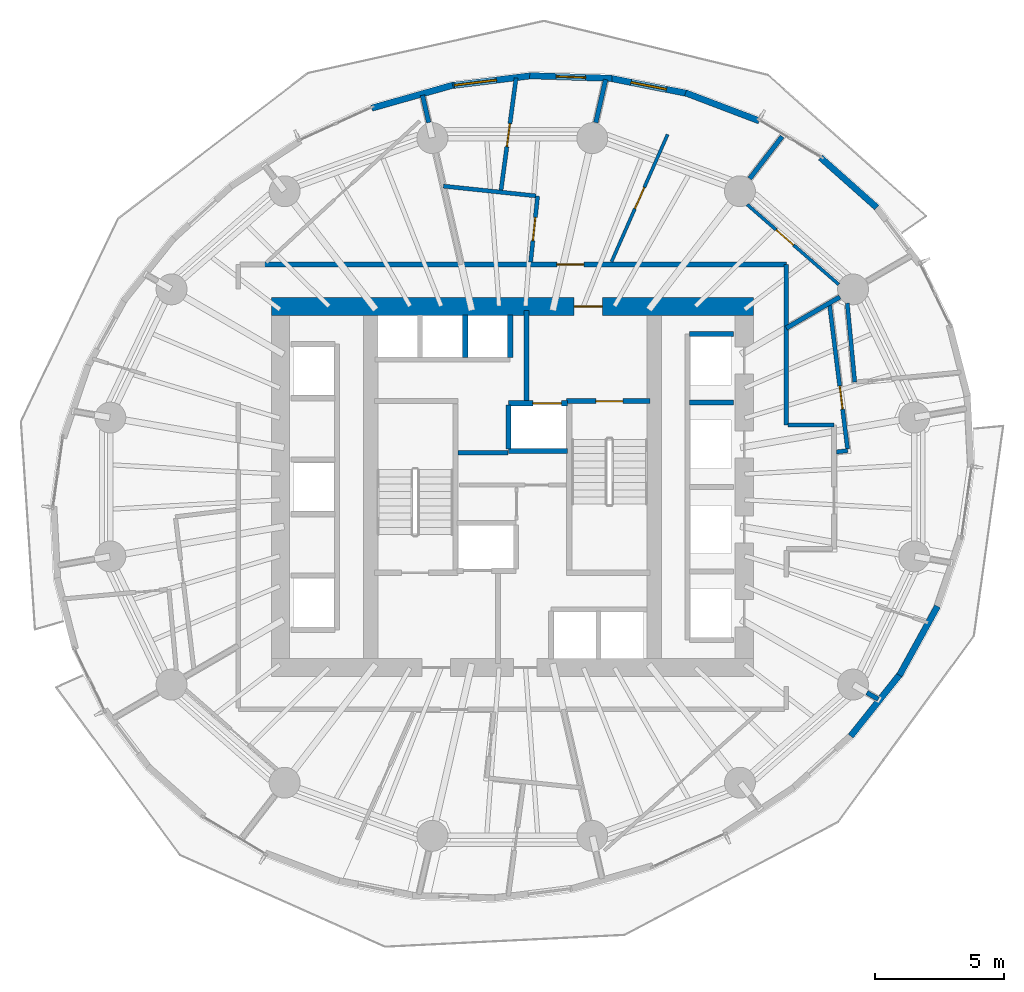
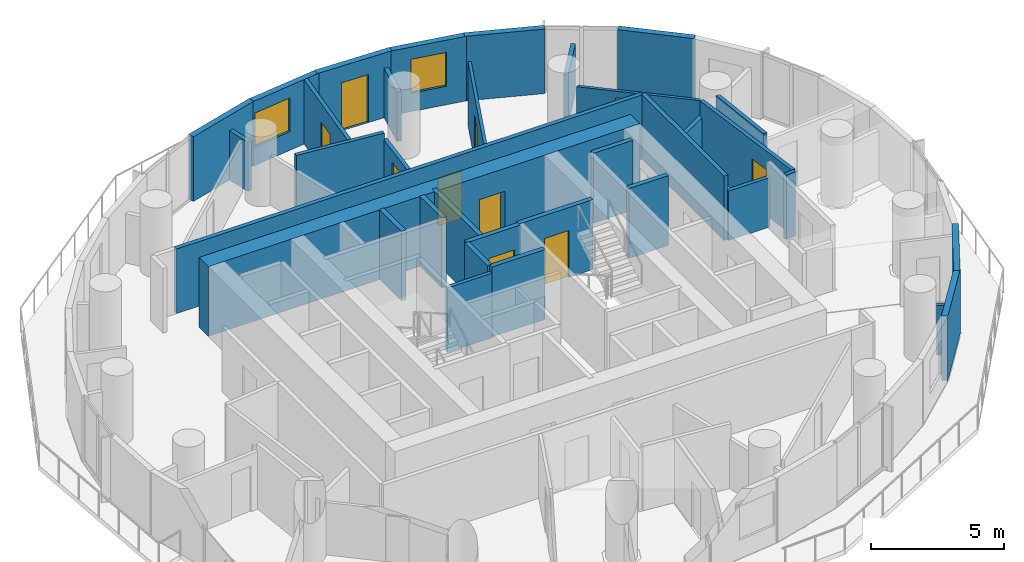
# One storey, part 9 of 14: 35 walls, 10 doors, 2 windows, 12 openings.
"""IFC4 building model written with IfcOpenShell, lengths in metres."""

from ifc_helpers import new_model, si_unit, direction, frame, frame_2d, origin, place, context, subcontext, project, spatial, rectangle, extrude, material, layer, layer_set, type_object, element, fill, save


model = new_model("IFC4")

# Units and contexts
model_context = context("Model", 3, precision=1e-05, world=origin(), true_north=direction((0.0, 1.0)))
body_context = subcontext(model_context, "Body", "Model", "MODEL_VIEW")
ifc_project = project(units=[si_unit("LENGTHUNIT", "METRE"), si_unit("AREAUNIT", "SQUARE_METRE"), si_unit("VOLUMEUNIT", "CUBIC_METRE"), si_unit("PLANEANGLEUNIT", "RADIAN"), si_unit("MASSUNIT", "GRAM", prefix="KILO")], contexts=[model_context])

# Site, building, storey
site_placement = place(None, origin())
site = spatial("IfcSite", under=ifc_project, at=site_placement, CompositionType="ELEMENT")
building_placement = place(site_placement, origin())
building = spatial("IfcBuilding", under=site, at=building_placement, Name="Veldorim Arch Residences", CompositionType="ELEMENT")
storey_placement = place(building_placement, frame((0.0, 0.0, 83.679931640625)))
storey = spatial("IfcBuildingStorey", under=building, at=storey_placement, Name="L24", CompositionType="ELEMENT", Elevation=83.679931640625)

# Wall, opening, door
ifc_material_1 = material(Name="Acoustic Gypsum Board", Category="gypsum")
ifc_layer_1 = layer(ifc_material_1, 0.125, Name="Acoustic Stud Room Partition Wall 125")
ifc_layer_set_1 = layer_set([ifc_layer_1], Name="Acoustic Gypsum Board")
wall_type_1 = type_object("IfcWallType", Name="Acoustic Stud Room Partition Wall 125", PredefinedType="PARTITIONING", material=ifc_layer_set_1)
wall_1_placement = place(storey_placement, frame((38.027099609375, 37.677978515625, 0.0), z_axis=(0.0, 0.0, 1.0), x_axis=(-0.403235845427, -0.91509608947, 0.0)))
wall_1 = element("IfcWall", 1, at=wall_1_placement, inside=storey, type_object=wall_type_1, Name="L24 interior wall WL-RES-L24-029", PredefinedType="PARTITIONING", context=body_context, shape_type="SweptSolid", body=[
    extrude(rectangle(XDim=5.396484375, YDim=0.125, at=frame_2d((2.6982421875, 0.0))), origin(), (0.0, 0.0, 1.0), 2.955078125),
])
opening_1_placement = place(wall_1_placement, frame((2.248046875, 0.0, 0.0)))
opening_1 = element("IfcOpeningElement", 2, at=opening_1_placement, cuts=wall_1, Name="Opening DR-INT", PredefinedType="OPENING", context=body_context, shape_type="SweptSolid", body=[
    extrude(rectangle(XDim=0.89990234375, YDim=2.10009765625, at=frame_2d((0.449951171875, 1.050048828125))), frame((0.0, 0.072509765625, 0.0), z_axis=(0.0, -1.0, 0.0), x_axis=(1.0, 0.0, 0.0)), (0.0, 0.0, 1.0), 0.14501953125),
])
ifc_material_2 = material(Name="Engineered Timber", Category="wood")
door_type_1 = type_object("IfcDoorType", Name="Apartment Internal Room Timber Door 900x2100", OperationType="SINGLE_SWING_LEFT", PredefinedType="DOOR", material=ifc_material_2)
door_1_placement = place(opening_1_placement, origin())
door_1 = element("IfcDoor", 3, at=door_1_placement, inside=storey, type_object=door_type_1, Name="L24 interior door DR-RES-L24-013", OperationType="SINGLE_SWING_LEFT", OverallHeight=2.10009765625, OverallWidth=0.89990234375, PredefinedType="DOOR", context=body_context, shape_type="SweptSolid", body=[
    extrude(rectangle(XDim=0.89990234375, YDim=2.10009765625, at=frame_2d((0.449951171875, 1.050048828125))), frame((0.0, 0.02490234375, 0.0), z_axis=(0.0, -1.0, 0.0), x_axis=(1.0, 0.0, 0.0)), (0.0, 0.0, 1.0), 0.050048828125),
])
fill(opening_1, door_1)

wall_2_placement = place(storey_placement, frame((41.1123046875, 34.959716796875, 0.0), z_axis=(0.0, 0.0, 1.0), x_axis=(0.753425123405, -0.657533712765, 0.0)))
wall_2 = element("IfcWall", 4, at=wall_2_placement, inside=storey, type_object=wall_type_1, Name="L24 interior wall WL-RES-L24-033", PredefinedType="PARTITIONING", context=body_context, shape_type="SweptSolid", body=[
    extrude(rectangle(XDim=4.72021484375, YDim=0.125, at=frame_2d((2.360107421875, 0.0))), origin(), (0.0, 0.0, 1.0), 2.403564453125),
])
opening_2_placement = place(wall_2_placement, frame((1.489990234375, 0.0, 0.0)))
opening_2 = element("IfcOpeningElement", 5, at=opening_2_placement, cuts=wall_2, Name="Opening DR-INT", PredefinedType="OPENING", context=body_context, shape_type="SweptSolid", body=[
    extrude(rectangle(XDim=0.89990234375, YDim=2.10009765625, at=frame_2d((0.449951171875, 1.050048828125))), frame((0.0, 0.072509765625, 0.0), z_axis=(0.0, -1.0, 0.0), x_axis=(1.0, 0.0, 0.0)), (0.0, 0.0, 1.0), 0.14501953125),
])
door_2_placement = place(opening_2_placement, origin())
door_2 = element("IfcDoor", 6, at=door_2_placement, inside=storey, type_object=door_type_1, Name="L24 interior door DR-RES-L24-014", OperationType="SINGLE_SWING_RIGHT", OverallHeight=2.10009765625, OverallWidth=0.89990234375, PredefinedType="DOOR", context=body_context, shape_type="SweptSolid", body=[
    extrude(rectangle(XDim=0.89990234375, YDim=2.10009765625, at=frame_2d((0.449951171875, 1.050048828125))), frame((0.0, 0.02490234375, 0.0), z_axis=(0.0, -1.0, 0.0), x_axis=(1.0, 0.0, 0.0)), (0.0, 0.0, 1.0), 0.050048828125),
])
fill(opening_2, door_2)

# Walls
ifc_material_3 = material(Name="Lightweight Masonry Block & Gypsum", Category="masonry")
ifc_layer_2 = layer(ifc_material_3, 0.179931640625, Name="Compartment & Corridor Fire-Rated Party Wall 180")
ifc_layer_set_2 = layer_set([ifc_layer_2], Name="Lightweight Masonry Block & Gypsum")
wall_type_2 = type_object("IfcWallType", Name="Compartment & Corridor Fire-Rated Party Wall 180", PredefinedType="PARTITIONING", material=ifc_layer_set_2)
wall_3_placement = place(storey_placement, frame((41.2119140625, 35.965576171875, 0.0), z_axis=(0.0, 0.0, 1.0), x_axis=(0.609991040385, 0.792408310564, 0.0)))
element("IfcWall", 7, at=wall_3_placement, inside=storey, type_object=wall_type_2, Name="L24 interior wall WL-PIER-L24-03", PredefinedType="PARTITIONING", context=body_context, shape_type="SweptSolid", body=[
    extrude(rectangle(XDim=2.0625, YDim=0.179931640625, at=frame_2d((1.03125, 0.0))), origin(), (0.0, 0.0, 1.0), 2.2607421875),
])
wall_4_placement = place(storey_placement, frame((35.240478515625, 38.13916015625, 0.0), z_axis=(0.0, 0.0, 1.0), x_axis=(0.223359217097, 0.974736200281, 0.0)))
element("IfcWall", 8, at=wall_4_placement, inside=storey, type_object=wall_type_2, Name="L24 interior wall WL-PIER-L24-04", PredefinedType="PARTITIONING", context=body_context, shape_type="SweptSolid", body=[
    extrude(rectangle(XDim=1.711669921875, YDim=0.179931640625, at=frame_2d((0.85595703125, 0.0))), origin(), (0.0, 0.0, 1.0), 2.2607421875),
])
wall_5_placement = place(storey_placement, frame((28.759521484375, 38.13916015625, 0.0), z_axis=(0.0, 0.0, 1.0), x_axis=(-0.223287406217, 0.974752652843, 0.0)))
element("IfcWall", 9, at=wall_5_placement, inside=storey, type_object=wall_type_2, Name="L24 interior wall WL-PIER-L24-05", PredefinedType="PARTITIONING", context=body_context, shape_type="SweptSolid", body=[
    extrude(rectangle(XDim=1.089111328125, YDim=0.179931640625, at=frame_2d((0.54443359375, 0.0))), origin(), (0.0, 0.0, 1.0), 2.2607421875),
])
wall_6_placement = place(storey_placement, frame((45.756591796875, 16.022216796875, 0.0), z_axis=(0.0, 0.0, 1.0), x_axis=(0.864981735625, -0.501803344981, 0.0)))
element("IfcWall", 10, at=wall_6_placement, inside=storey, type_object=wall_type_2, Name="L24 interior wall WL-PIER-L24-15", PredefinedType="PARTITIONING", context=body_context, shape_type="SweptSolid", body=[
    extrude(rectangle(XDim=0.51416015625, YDim=0.179931640625, at=frame_2d((0.257080078125, 0.0))), origin(), (0.0, 0.0, 1.0), 2.2607421875),
])
wall_7_placement = place(storey_placement, frame((42.6298828125, 32.6298828125, 0.0), z_axis=(0.0, 0.0, 1.0), x_axis=(0.0, -1.0, 0.0)))
element("IfcWall", 11, at=wall_7_placement, inside=storey, type_object=wall_type_2, Name="L24 interior wall WL-RES-L24-008", PredefinedType="PARTITIONING", context=body_context, shape_type="SweptSolid", body=[
    extrude(rectangle(XDim=6.22998046875, YDim=0.179931640625, at=frame_2d((3.114990234375, 0.0))), origin(), (0.0, 0.0, 1.0), 2.955078125),
])

# Wall, opening, door
wall_8_placement = place(storey_placement, frame((22.3505859375, 32.6298828125, 0.0), z_axis=(0.0, 0.0, 1.0), x_axis=(1.0, 0.0, 0.0)))
wall_8 = element("IfcWall", 12, at=wall_8_placement, inside=storey, type_object=wall_type_2, Name="L24 interior wall WL-RES-L24-010", PredefinedType="PARTITIONING", context=body_context, shape_type="SweptSolid", body=[
    extrude(rectangle(XDim=20.279296875, YDim=0.179931640625, at=frame_2d((10.1396484375, 0.0))), origin(), (0.0, 0.0, 1.0), 2.955078125),
])
opening_3_placement = place(wall_8_placement, frame((11.377685546875, 0.0, 0.0)))
opening_3 = element("IfcOpeningElement", 13, at=opening_3_placement, cuts=wall_8, Name="Opening DR-FLT", PredefinedType="OPENING", context=body_context, shape_type="SweptSolid", body=[
    extrude(rectangle(XDim=1.050048828125, YDim=2.14990234375, at=frame_2d((0.52490234375, 1.074951171875))), frame((0.0, 0.099853515625, 0.0), z_axis=(0.0, -1.0, 0.0), x_axis=(1.0, 0.0, 0.0)), (0.0, 0.0, 1.0), 0.199951171875),
])
ifc_material_4 = material(Name="Fire-Rated Timber", Category="wood")
door_type_2 = type_object("IfcDoorType", Name="Apartment Entrance Solid-Core Fire Door 1050x2150", OperationType="SINGLE_SWING_LEFT", PredefinedType="DOOR", material=ifc_material_4)
door_3_placement = place(opening_3_placement, origin())
door_3 = element("IfcDoor", 14, at=door_3_placement, inside=storey, type_object=door_type_2, Name="L24 interior door DR-RES-L24-011", OperationType="SINGLE_SWING_LEFT", OverallHeight=2.14990234375, OverallWidth=1.050048828125, PredefinedType="DOOR", context=body_context, shape_type="SweptSolid", body=[
    extrude(rectangle(XDim=1.050048828125, YDim=2.14990234375, at=frame_2d((0.52490234375, 1.074951171875))), frame((0.0, 0.02490234375, 0.0), z_axis=(0.0, -1.0, 0.0), x_axis=(1.0, 0.0, 0.0)), (0.0, 0.0, 1.0), 0.050048828125),
])
fill(opening_3, door_3)

# Wall
wall_9_placement = place(storey_placement, frame((42.630126953125, 30.16455078125, 0.0), z_axis=(0.0, 0.0, 1.0), x_axis=(0.86502326608, 0.501731750182, 0.0)))
element("IfcWall", 15, at=wall_9_placement, inside=storey, type_object=wall_type_2, Name="L24 interior wall WL-RES-L24-026", PredefinedType="PARTITIONING", context=body_context, shape_type="SweptSolid", body=[
    extrude(rectangle(XDim=2.4072265625, YDim=0.179931640625, at=frame_2d((1.20361328125, 0.0))), origin(), (0.0, 0.0, 1.0), 2.2607421875),
])

# Wall, opening, door
ifc_material_5 = material(Name="Concrete C50/60", Category="concrete")
ifc_layer_3 = layer(ifc_material_5, 0.199951171875, Name="Core Stair & Lift Shaft Enclosure Wall 200")
ifc_layer_set_3 = layer_set([ifc_layer_3], Name="Concrete C50/60")
wall_type_3 = type_object("IfcWallType", Name="Core Stair & Lift Shaft Enclosure Wall 200", PredefinedType="SHEAR", material=ifc_layer_set_3)
wall_10_placement = place(storey_placement, frame((34.110107421875, 27.330078125, 0.0), z_axis=(0.0, 0.0, 1.0), x_axis=(1.0, 0.0, 0.0)))
wall_10 = element("IfcWall", 16, at=wall_10_placement, inside=storey, type_object=wall_type_3, Name="L24 shaft wall WL-SHF-L24-ST2-N", PredefinedType="SHEAR", context=body_context, shape_type="SweptSolid", body=[
    extrude(rectangle(XDim=3.239990234375, YDim=0.199951171875, at=frame_2d((1.6201171875, 0.0))), origin(), (0.0, 0.0, 1.0), 3.199951171875),
])
opening_4_placement = place(wall_10_placement, frame((1.135009765625, 0.0, 0.0)))
opening_4 = element("IfcOpeningElement", 17, at=opening_4_placement, cuts=wall_10, Name="Opening DR-ST", PredefinedType="OPENING", context=body_context, shape_type="SweptSolid", body=[
    extrude(rectangle(XDim=1.050048828125, YDim=2.14990234375, at=frame_2d((0.52490234375, 1.074951171875))), frame((0.0, 0.10986328125, 0.0), z_axis=(0.0, -1.0, 0.0), x_axis=(1.0, 0.0, 0.0)), (0.0, 0.0, 1.0), 0.219970703125),
])
ifc_material_6 = material(Name="Fire-Rated Steel", Category="steel")
door_type_3 = type_object("IfcDoorType", Name="Exit Staircase Self-Closing Fire Door 1050x2150", OperationType="SINGLE_SWING_LEFT", PredefinedType="DOOR", material=ifc_material_6)
door_4_placement = place(opening_4_placement, origin())
door_4 = element("IfcDoor", 18, at=door_4_placement, inside=storey, type_object=door_type_3, Name="L24 interior door DR-L24-ST2", OperationType="SINGLE_SWING_RIGHT", OverallHeight=2.14990234375, OverallWidth=1.050048828125, PredefinedType="DOOR", context=body_context, shape_type="SweptSolid", body=[
    extrude(rectangle(XDim=1.050048828125, YDim=2.14990234375, at=frame_2d((0.52490234375, 1.074951171875))), frame((0.0, 0.02490234375, 0.0), z_axis=(0.0, -1.0, 0.0), x_axis=(1.0, 0.0, 0.0)), (0.0, 0.0, 1.0), 0.050048828125),
])
fill(opening_4, door_4)

# Wall
wall_11_placement = place(storey_placement, frame((32.550048828125, 27.35009765625, 0.0), z_axis=(0.0, 0.0, 1.0), x_axis=(0.0, 1.0, 0.0)))
element("IfcWall", 19, at=wall_11_placement, inside=storey, type_object=wall_type_3, Name="L24 shaft wall WL-FFL2-L24-W", PredefinedType="SHEAR", context=body_context, shape_type="SweptSolid", body=[
    extrude(rectangle(XDim=3.5, YDim=0.199951171875, at=frame_2d((1.75, 0.0))), origin(), (0.0, 0.0, 1.0), 3.199951171875),
])

# Wall, opening, door
wall_12_placement = place(storey_placement, frame((31.85009765625, 27.25, 0.0), z_axis=(0.0, 0.0, 1.0), x_axis=(1.0, 0.0, 0.0)))
wall_12 = element("IfcWall", 20, at=wall_12_placement, inside=storey, type_object=wall_type_3, Name="L24 shaft wall WL-FL02-L24-N", PredefinedType="SHEAR", context=body_context, shape_type="SweptSolid", body=[
    extrude(rectangle(XDim=2.2998046875, YDim=0.199951171875, at=frame_2d((1.14990234375, 0.0))), origin(), (0.0, 0.0, 1.0), 3.199951171875),
])
opening_5_placement = place(wall_12_placement, frame((0.949951171875, 0.0, 0.0)))
opening_5 = element("IfcOpeningElement", 21, at=opening_5_placement, cuts=wall_12, Name="Opening LD-FF", PredefinedType="OPENING", context=body_context, shape_type="SweptSolid", body=[
    extrude(rectangle(XDim=1.10009765625, YDim=2.14990234375, at=frame_2d((0.550048828125, 1.074951171875))), frame((0.0, 0.10986328125, 0.0), z_axis=(0.0, -1.0, 0.0), x_axis=(1.0, 0.0, 0.0)), (0.0, 0.0, 1.0), 0.219970703125),
])
ifc_material_7 = material(Name="Stainless Steel", Category="steel")
door_type_4 = type_object("IfcDoorType", Name="Firefighting Lift Bi-Parting Sliding Landing Door 1100x2150", OperationType="DOUBLE_DOOR_SLIDING", PredefinedType="DOOR", material=ifc_material_7)
door_5_placement = place(opening_5_placement, origin())
door_5 = element("IfcDoor", 22, at=door_5_placement, inside=storey, type_object=door_type_4, Name="L24 lift landing door LD-L24-FL02", OperationType="DOUBLE_DOOR_SLIDING", OverallHeight=2.14990234375, OverallWidth=1.10009765625, PredefinedType="DOOR", context=body_context, shape_type="SweptSolid", body=[
    extrude(rectangle(XDim=1.10009765625, YDim=2.14990234375, at=frame_2d((0.550048828125, 1.074951171875))), frame((0.0, 0.02490234375, 0.0), z_axis=(0.0, -1.0, 0.0), x_axis=(1.0, 0.0, 0.0)), (0.0, 0.0, 1.0), 0.050048828125),
])
fill(opening_5, door_5)

# Walls
wall_13_placement = place(storey_placement, frame((31.85009765625, 25.39990234375, 0.0), z_axis=(0.0, 0.0, 1.0), x_axis=(1.0, 0.0, 0.0)))
element("IfcWall", 23, at=wall_13_placement, inside=storey, type_object=wall_type_3, Name="L24 shaft wall WL-FL02-L24-S", PredefinedType="SHEAR", context=body_context, shape_type="SweptSolid", body=[
    extrude(rectangle(XDim=2.2998046875, YDim=0.199951171875, at=frame_2d((1.14990234375, 0.0))), origin(), (0.0, 0.0, 1.0), 3.199951171875),
])
for number, where, z_axis, x_axis, name in (
    (24, (31.85009765625, 25.469970703125, 0.0), (0.0, 0.0, 1.0), (0.0, 1.0, 0.0), "L24 shaft wall WL-FL02-L24-W"),
    (25, (38.8701171875, 29.93994140625, 0.0), (0.0, 0.0, 1.0), (1.0, 0.0, 0.0), "L24 shaft wall WL-B1-L24-N"),
    (26, (38.8701171875, 27.27490234375, 0.0), (0.0, 0.0, 1.0), (1.0, 0.0, 0.0), "L24 shaft wall WL-B1-L24-D3"),
):
    element("IfcWall", number, at=place(storey_placement, frame(where, z_axis=z_axis, x_axis=x_axis)), inside=storey, type_object=wall_type_3, Name=name, PredefinedType="SHEAR", context=body_context, shape_type="SweptSolid", body=[
        extrude(rectangle(XDim=1.7099609375, YDim=0.199951171875, at=frame_2d((0.85498046875, 0.0))), origin(), (0.0, 0.0, 1.0), 3.199951171875),
    ])
for number, where, z_axis, x_axis, name in (
    (27, (31.919921875, 29.02001953125, 0.0), (0.0, 0.0, 1.0), (0.0, 1.0, 0.0), "L24 shaft wall WL-B3-L24-E"),
    (28, (30.175048828125, 29.02001953125, 0.0), (0.0, 0.0, 1.0), (0.0, 1.0, 0.0), "L24 shaft wall WL-B3-L24-D2"),
):
    element("IfcWall", number, at=place(storey_placement, frame(where, z_axis=z_axis, x_axis=x_axis)), inside=storey, type_object=wall_type_3, Name=name, PredefinedType="SHEAR", context=body_context, shape_type="SweptSolid", body=[
        extrude(rectangle(XDim=1.659912109375, YDim=0.199951171875, at=frame_2d((0.830078125, 0.0))), origin(), (0.0, 0.0, 1.0), 3.199951171875),
    ])

# Wall, opening, door
ifc_material_8 = material(Name="Concrete C60/75", Category="concrete")
ifc_layer_4 = layer(ifc_material_8, 0.699951171875, Name="Mid-Lower Central Core Shear Wall 700")
ifc_layer_set_4 = layer_set([ifc_layer_4], Name="Concrete C60/75")
wall_type_4 = type_object("IfcWallType", Name="Mid-Lower Central Core Shear Wall 700", PredefinedType="SHEAR", material=ifc_layer_set_4)
wall_14_placement = place(storey_placement, frame((22.64990234375, 31.0, 0.0), z_axis=(0.0, 0.0, 1.0), x_axis=(1.0, 0.0, 0.0)))
wall_14 = element("IfcWall", 29, at=wall_14_placement, inside=storey, type_object=wall_type_4, Name="L24 central core north shear wall", PredefinedType="SHEAR", context=body_context, shape_type="SweptSolid", body=[
    extrude(rectangle(XDim=18.7001953125, YDim=0.699951171875, at=frame_2d((9.35009765625, 0.0))), origin(), (0.0, 0.0, 1.0), 3.199951171875),
])
opening_6_placement = place(wall_14_placement, frame((11.75, 0.0, 0.0)))
opening_6 = element("IfcOpeningElement", 30, at=opening_6_placement, cuts=wall_14, Name="Opening DR-FFL", PredefinedType="OPENING", context=body_context, shape_type="SweptSolid", body=[
    extrude(rectangle(XDim=1.10009765625, YDim=2.14990234375, at=frame_2d((0.550048828125, 1.074951171875))), frame((0.0, 0.35986328125, 0.0), z_axis=(0.0, -1.0, 0.0), x_axis=(1.0, 0.0, 0.0)), (0.0, 0.0, 1.0), 0.719970703125),
])
ifc_material_9 = material(Name="Fire-Rated Steel & Vision Glass", Category="steel")
door_type_5 = type_object("IfcDoorType", Name="Firefighting Lobby Smoke-Stop Fire Door 1100x2150", OperationType="SINGLE_SWING_LEFT", PredefinedType="DOOR", material=ifc_material_9)
door_6_placement = place(opening_6_placement, origin())
door_6 = element("IfcDoor", 31, at=door_6_placement, inside=storey, type_object=door_type_5, Name="L24 interior door DR-L24-FFL2", OperationType="SINGLE_SWING_LEFT", OverallHeight=2.14990234375, OverallWidth=1.10009765625, PredefinedType="DOOR", context=body_context, shape_type="SweptSolid", body=[
    extrude(rectangle(XDim=1.10009765625, YDim=2.14990234375, at=frame_2d((0.550048828125, 1.074951171875))), frame((0.0, 0.02490234375, 0.0), z_axis=(0.0, -1.0, 0.0), x_axis=(1.0, 0.0, 0.0)), (0.0, 0.0, 1.0), 0.050048828125),
])
fill(opening_6, door_6)

# Walls
ifc_material_10 = material(Name="Precast concrete C40/50", Category="concrete")
ifc_layer_5 = layer(ifc_material_10, 0.25, Name="Tower Terracotta Spandrel & Pier Wall 250")
ifc_layer_set_5 = layer_set([ifc_layer_5], Name="Precast concrete C40/50")
wall_type_5 = type_object("IfcWallType", Name="Tower Terracotta Spandrel & Pier Wall 250", PredefinedType="SOLIDWALL", material=ifc_layer_set_5)
wall_15_placement = place(storey_placement, frame((43.956787109375, 36.784423828125, 0.0), z_axis=(0.0, 0.0, 1.0), x_axis=(0.747828492436, -0.663891968547, 0.0)))
element("IfcWall", 32, at=wall_15_placement, inside=storey, type_object=wall_type_5, Name="L24 terracotta facade wall 03", PredefinedType="SOLIDWALL", context=body_context, shape_type="SweptSolid", body=[
    extrude(rectangle(XDim=2.923095703125, YDim=0.25, at=frame_2d((1.46142578125, 0.0))), origin(), (0.0, 0.0, 1.0), 2.9599609375),
])
wall_16_placement = place(storey_placement, frame((38.72412109375, 39.29296875, 0.0), z_axis=(0.0, 0.0, 1.0), x_axis=(0.934815891493, -0.355132720277, 0.0)))
element("IfcWall", 33, at=wall_16_placement, inside=storey, type_object=wall_type_5, Name="L24 terracotta facade wall 05", PredefinedType="SOLIDWALL", context=body_context, shape_type="SweptSolid", body=[
    extrude(rectangle(XDim=3.060546875, YDim=0.25, at=frame_2d((1.5302734375, 0.0))), origin(), (0.0, 0.0, 1.0), 2.9599609375),
])

# Wall, opening, window
wall_17_placement = place(storey_placement, frame((35.75830078125, 39.8671875, 0.0), z_axis=(0.0, 0.0, 1.0), x_axis=(0.981187677549, -0.193056316721, 0.0)))
wall_17 = element("IfcWall", 34, at=wall_17_placement, inside=storey, type_object=wall_type_5, Name="L24 terracotta facade wall 06", PredefinedType="SOLIDWALL", context=body_context, shape_type="SweptSolid", body=[
    extrude(rectangle(XDim=3.131103515625, YDim=0.25, at=frame_2d((1.5654296875, 0.0))), origin(), (0.0, 0.0, 1.0), 2.9599609375),
])
opening_7_placement = place(wall_17_placement, frame((0.865966796875, 0.0, 0.85009765625)))
opening_7 = element("IfcOpeningElement", 35, at=opening_7_placement, cuts=wall_17, Name="Opening WN-02", PredefinedType="OPENING", context=body_context, shape_type="SweptSolid", body=[
    extrude(rectangle(XDim=1.39990234375, YDim=1.550048828125, at=frame_2d((0.699951171875, 0.77490234375))), frame((0.0, 0.135009765625, 0.0), z_axis=(0.0, -1.0, 0.0), x_axis=(1.0, 0.0, 0.0)), (0.0, 0.0, 1.0), 0.27001953125),
])
ifc_material_11 = material(Name="Laminated Low-E Glass", Category="glass")
window_type_1 = type_object("IfcWindowType", Name="Residential Casement Window 1400x1550", PartitioningType="SINGLE_PANEL", PredefinedType="WINDOW", material=ifc_material_11)
window_1_placement = place(opening_7_placement, origin())
window_1 = element("IfcWindow", 36, at=window_1_placement, inside=storey, type_object=window_type_1, Name="L24 solar-control facade window 06", OverallHeight=1.550048828125, OverallWidth=1.39990234375, PartitioningType="SINGLE_PANEL", PredefinedType="WINDOW", context=body_context, shape_type="SweptSolid", body=[
    extrude(rectangle(XDim=1.39990234375, YDim=1.550048828125, at=frame_2d((0.699951171875, 0.77490234375))), frame((0.0, 0.030029296875, 0.0), z_axis=(0.0, -1.0, 0.0), x_axis=(1.0, 0.0, 0.0)), (0.0, 0.0, 1.0), 0.06005859375),
])
fill(opening_7, window_1)

# Wall, opening, door
wall_18_placement = place(storey_placement, frame((32.67724609375, 39.959228515625, 0.0), z_axis=(0.0, 0.0, 1.0), x_axis=(0.999464092211, -0.032734208101, 0.0)))
wall_18 = element("IfcWall", 37, at=wall_18_placement, inside=storey, type_object=wall_type_5, Name="L24 terracotta facade wall 07", PredefinedType="SOLIDWALL", context=body_context, shape_type="SweptSolid", body=[
    extrude(rectangle(XDim=3.192138671875, YDim=0.25, at=frame_2d((1.59619140625, 0.0))), origin(), (0.0, 0.0, 1.0), 2.9599609375),
])
opening_8_placement = place(wall_18_placement, frame((1.02099609375, 0.0, 0.0)))
opening_8 = element("IfcOpeningElement", 38, at=opening_8_placement, cuts=wall_18, Name="Opening BL-DR", PredefinedType="OPENING", context=body_context, shape_type="SweptSolid", body=[
    extrude(rectangle(XDim=1.14990234375, YDim=2.199951171875, at=frame_2d((0.574951171875, 1.10009765625))), frame((0.0, 0.135009765625, 0.0), z_axis=(0.0, -1.0, 0.0), x_axis=(1.0, 0.0, 0.0)), (0.0, 0.0, 1.0), 0.27001953125),
])
ifc_material_12 = material(Name="Aluminium & Low-E Glass", Category="aluminium")
door_type_6 = type_object("IfcDoorType", Name="Glazed Planted Balcony Door 1150x2200", OperationType="SINGLE_SWING_LEFT", PredefinedType="DOOR", material=ifc_material_12)
door_7_placement = place(opening_8_placement, origin())
door_7 = element("IfcDoor", 39, at=door_7_placement, inside=storey, type_object=door_type_6, Name="L24 glazed outdoor terrace door BALC-1", OperationType="SINGLE_SWING_LEFT", OverallHeight=2.199951171875, OverallWidth=1.14990234375, PredefinedType="DOOR", context=body_context, shape_type="SweptSolid", body=[
    extrude(rectangle(XDim=1.14990234375, YDim=2.199951171875, at=frame_2d((0.574951171875, 1.10009765625))), frame((0.0, 0.02490234375, 0.0), z_axis=(0.0, -1.0, 0.0), x_axis=(1.0, 0.0, 0.0)), (0.0, 0.0, 1.0), 0.050048828125),
])
fill(opening_8, door_7)

# Wall, opening, window
wall_19_placement = place(storey_placement, frame((29.57470703125, 39.56640625, 0.0), z_axis=(0.0, 0.0, 1.0), x_axis=(0.99241077266, 0.122966899235, 0.0)))
wall_19 = element("IfcWall", 40, at=wall_19_placement, inside=storey, type_object=wall_type_5, Name="L24 terracotta facade wall 08", PredefinedType="SOLIDWALL", context=body_context, shape_type="SweptSolid", body=[
    extrude(rectangle(XDim=3.236328125, YDim=0.25, at=frame_2d((1.6181640625, 0.0))), origin(), (0.0, 0.0, 1.0), 2.9599609375),
])
opening_9_placement = place(wall_19_placement, frame((0.175048828125, 0.0, 0.85009765625)))
opening_9 = element("IfcOpeningElement", 41, at=opening_9_placement, cuts=wall_19, Name="Opening WN-03", PredefinedType="OPENING", context=body_context, shape_type="SweptSolid", body=[
    extrude(rectangle(XDim=1.64990234375, YDim=1.550048828125, at=frame_2d((0.824951171875, 0.77490234375))), frame((0.0, 0.135009765625, 0.0), z_axis=(0.0, -1.0, 0.0), x_axis=(1.0, 0.0, 0.0)), (0.0, 0.0, 1.0), 0.27001953125),
])
ifc_material_13 = material(Name="Laminated Low-E Glass", Category="glass")
window_type_2 = type_object("IfcWindowType", Name="Residential Wide Window 1650x1550", PartitioningType="SINGLE_PANEL", PredefinedType="WINDOW", material=ifc_material_13)
window_2_placement = place(opening_9_placement, origin())
window_2 = element("IfcWindow", 42, at=window_2_placement, inside=storey, type_object=window_type_2, Name="L24 solar-control facade window 08", OverallHeight=1.550048828125, OverallWidth=1.64990234375, PartitioningType="SINGLE_PANEL", PredefinedType="WINDOW", context=body_context, shape_type="SweptSolid", body=[
    extrude(rectangle(XDim=1.64990234375, YDim=1.550048828125, at=frame_2d((0.824951171875, 0.77490234375))), frame((0.0, 0.030029296875, 0.0), z_axis=(0.0, -1.0, 0.0), x_axis=(1.0, 0.0, 0.0)), (0.0, 0.0, 1.0), 0.06005859375),
])
fill(opening_9, window_2)

# Walls
wall_20_placement = place(storey_placement, frame((26.54541015625, 38.699462890625, 0.0), z_axis=(0.0, 0.0, 1.0), x_axis=(0.962134911526, 0.272573681825, 0.0)))
element("IfcWall", 43, at=wall_20_placement, inside=storey, type_object=wall_type_5, Name="L24 terracotta facade wall 09", PredefinedType="SOLIDWALL", context=body_context, shape_type="SweptSolid", body=[
    extrude(rectangle(XDim=3.259521484375, YDim=0.25, at=frame_2d((1.6298828125, 0.0))), origin(), (0.0, 0.0, 1.0), 2.9599609375),
])
wall_21_placement = place(storey_placement, frame((47.083740234375, 16.782958984375, 0.0), z_axis=(0.0, 0.0, 1.0), x_axis=(-0.623134406496, -0.782114768714, 0.0)))
element("IfcWall", 44, at=wall_21_placement, inside=storey, type_object=wall_type_5, Name="L24 terracotta facade wall 31", PredefinedType="SOLIDWALL", context=body_context, shape_type="SweptSolid", body=[
    extrude(rectangle(XDim=3.131103515625, YDim=0.25, at=frame_2d((1.5654296875, 0.0))), origin(), (0.0, 0.0, 1.0), 2.9599609375),
])
wall_22_placement = place(storey_placement, frame((48.500244140625, 19.37109375, 0.0), z_axis=(0.0, 0.0, 1.0), x_axis=(-0.482904421948, -0.875673066426, 0.0)))
element("IfcWall", 45, at=wall_22_placement, inside=storey, type_object=wall_type_5, Name="L24 terracotta facade wall 32", PredefinedType="SOLIDWALL", context=body_context, shape_type="SweptSolid", body=[
    extrude(rectangle(XDim=3.060791015625, YDim=0.25, at=frame_2d((1.5302734375, 0.0))), origin(), (0.0, 0.0, 1.0), 2.9599609375),
])
ifc_material_14 = material(Name="Moisture-Resistant Gypsum & Stud", Category="gypsum")
ifc_layer_6 = layer(ifc_material_14, 0.159912109375, Name="Wet-Area Moisture-Resistant Plumbing Wall 160")
ifc_layer_set_6 = layer_set([ifc_layer_6], Name="Moisture-Resistant Gypsum & Stud")
wall_type_6 = type_object("IfcWallType", Name="Wet-Area Moisture-Resistant Plumbing Wall 160", PredefinedType="PLUMBINGWALL", material=ifc_layer_set_6)
wall_23_placement = place(storey_placement, frame((29.889892578125, 25.330078125, 0.0), z_axis=(0.0, 0.0, 1.0), x_axis=(1.0, 0.0, 0.0)))
element("IfcWall", 46, at=wall_23_placement, inside=storey, type_object=wall_type_6, Name="L24 interior wall WL-CA-L24-N", PredefinedType="PLUMBINGWALL", context=body_context, shape_type="SweptSolid", body=[
    extrude(rectangle(XDim=1.940185546875, YDim=0.159912109375, at=frame_2d((0.97021484375, 0.0))), origin(), (0.0, 0.0, 1.0), 2.955078125),
])
wall_24_placement = place(storey_placement, frame((42.68994140625, 26.39990234375, 0.0), z_axis=(0.0, 0.0, 1.0), x_axis=(1.0, 0.0, 0.0)))
element("IfcWall", 47, at=wall_24_placement, inside=storey, type_object=wall_type_6, Name="L24 interior wall WL-RES-L24-009", PredefinedType="PLUMBINGWALL", context=body_context, shape_type="SweptSolid", body=[
    extrude(rectangle(XDim=1.7900390625, YDim=0.159912109375, at=frame_2d((0.89501953125, 0.0))), origin(), (0.0, 0.0, 1.0), 2.2607421875),
])
wall_25_placement = place(storey_placement, frame((44.99658203125, 31.129638671875, 0.0), z_axis=(0.0, 0.0, 1.0), x_axis=(0.094558062352, -0.995519348302, 0.0)))
element("IfcWall", 48, at=wall_25_placement, inside=storey, type_object=wall_type_6, Name="L24 interior wall WL-RES-L24-021", PredefinedType="PLUMBINGWALL", context=body_context, shape_type="SweptSolid", body=[
    extrude(rectangle(XDim=3.074951171875, YDim=0.159912109375, at=frame_2d((1.53759765625, 0.0))), origin(), (0.0, 0.0, 1.0), 2.955078125),
])
wall_26_placement = place(storey_placement, frame((44.5791015625, 25.3583984375, 0.0), z_axis=(0.0, 0.0, 1.0), x_axis=(0.992294886409, 0.123898581135, 0.0)))
element("IfcWall", 49, at=wall_26_placement, inside=storey, type_object=wall_type_6, Name="L24 interior wall WL-RES-L24-024", PredefinedType="PLUMBINGWALL", context=body_context, shape_type="SweptSolid", body=[
    extrude(rectangle(XDim=0.44140625, YDim=0.159912109375, at=frame_2d((0.220703125, 0.0))), origin(), (0.0, 0.0, 1.0), 2.955078125),
])

# Wall, opening, door
wall_27_placement = place(storey_placement, frame((45.009765625, 25.47265625, 0.0), z_axis=(0.0, 0.0, 1.0), x_axis=(-0.123955741663, 0.992287747636, 0.0)))
wall_27 = element("IfcWall", 50, at=wall_27_placement, inside=storey, type_object=wall_type_6, Name="L24 interior wall WL-RES-L24-025", PredefinedType="PLUMBINGWALL", context=body_context, shape_type="SweptSolid", body=[
    extrude(rectangle(XDim=5.705810546875, YDim=0.159912109375, at=frame_2d((2.85302734375, 0.0))), origin(), (0.0, 0.0, 1.0), 2.955078125),
])
opening_10_placement = place(wall_27_placement, frame((1.56298828125, 0.0, 0.0)))
opening_10 = element("IfcOpeningElement", 51, at=opening_10_placement, cuts=wall_27, Name="Opening DR-INT", PredefinedType="OPENING", context=body_context, shape_type="SweptSolid", body=[
    extrude(rectangle(XDim=0.89990234375, YDim=2.10009765625, at=frame_2d((0.449951171875, 1.050048828125))), frame((0.0, 0.08984375, 0.0), z_axis=(0.0, -1.0, 0.0), x_axis=(1.0, 0.0, 0.0)), (0.0, 0.0, 1.0), 0.179931640625),
])
door_8_placement = place(opening_10_placement, origin())
door_8 = element("IfcDoor", 52, at=door_8_placement, inside=storey, type_object=door_type_1, Name="L24 interior door DR-RES-L24-010", OperationType="SINGLE_SWING_RIGHT", OverallHeight=2.10009765625, OverallWidth=0.89990234375, PredefinedType="DOOR", context=body_context, shape_type="SweptSolid", body=[
    extrude(rectangle(XDim=0.89990234375, YDim=2.10009765625, at=frame_2d((0.449951171875, 1.050048828125))), frame((0.0, 0.02490234375, 0.0), z_axis=(0.0, -1.0, 0.0), x_axis=(1.0, 0.0, 0.0)), (0.0, 0.0, 1.0), 0.050048828125),
])
fill(opening_10, door_8)

wall_28_placement = place(storey_placement, frame((31.552490234375, 35.437744140625, 0.0), z_axis=(0.0, 0.0, 1.0), x_axis=(0.132986130607, 0.991117898671, 0.0)))
wall_28 = element("IfcWall", 53, at=wall_28_placement, inside=storey, type_object=wall_type_6, Name="L24 interior wall WL-RES-L24-028", PredefinedType="PLUMBINGWALL", context=body_context, shape_type="SweptSolid", body=[
    extrude(rectangle(XDim=4.47216796875, YDim=0.159912109375, at=frame_2d((2.236083984375, 0.0))), origin(), (0.0, 0.0, 1.0), 2.955078125),
])
opening_11_placement = place(wall_28_placement, frame((1.785888671875, 0.0, 0.0)))
opening_11 = element("IfcOpeningElement", 54, at=opening_11_placement, cuts=wall_28, Name="Opening DR-WC", PredefinedType="OPENING", context=body_context, shape_type="SweptSolid", body=[
    extrude(rectangle(XDim=0.89990234375, YDim=2.10009765625, at=frame_2d((0.449951171875, 1.050048828125))), frame((0.0, 0.08984375, 0.0), z_axis=(0.0, -1.0, 0.0), x_axis=(1.0, 0.0, 0.0)), (0.0, 0.0, 1.0), 0.179931640625),
])
ifc_material_15 = material(Name="Laminate Timber", Category="wood")
door_type_7 = type_object("IfcDoorType", Name="Bathroom & Accessible WC Moisture-Sealed Door 900x2100", OperationType="SINGLE_SWING_LEFT", PredefinedType="DOOR", material=ifc_material_15)
door_9_placement = place(opening_11_placement, origin())
door_9 = element("IfcDoor", 55, at=door_9_placement, inside=storey, type_object=door_type_7, Name="L24 interior door DR-RES-L24-012", OperationType="SINGLE_SWING_RIGHT", OverallHeight=2.10009765625, OverallWidth=0.89990234375, PredefinedType="DOOR", context=body_context, shape_type="SweptSolid", body=[
    extrude(rectangle(XDim=0.89990234375, YDim=2.10009765625, at=frame_2d((0.449951171875, 1.050048828125))), frame((0.0, 0.02490234375, 0.0), z_axis=(0.0, -1.0, 0.0), x_axis=(1.0, 0.0, 0.0)), (0.0, 0.0, 1.0), 0.050048828125),
])
fill(opening_11, door_9)

wall_29_placement = place(storey_placement, frame((32.712158203125, 32.7294921875, 0.0), z_axis=(0.0, 0.0, 1.0), x_axis=(0.105094954285, 0.994462191631, 0.0)))
wall_29 = element("IfcWall", 56, at=wall_29_placement, inside=storey, type_object=wall_type_6, Name="L24 interior wall WL-RES-L24-030", PredefinedType="PLUMBINGWALL", context=body_context, shape_type="SweptSolid", body=[
    extrude(rectangle(XDim=2.571533203125, YDim=0.159912109375, at=frame_2d((1.28564453125, 0.0))), origin(), (0.0, 0.0, 1.0), 2.641357421875),
])
opening_12_placement = place(wall_29_placement, frame((0.835693359375, 0.0, 0.0)))
opening_12 = element("IfcOpeningElement", 57, at=opening_12_placement, cuts=wall_29, Name="Opening DR-INT", PredefinedType="OPENING", context=body_context, shape_type="SweptSolid", body=[
    extrude(rectangle(XDim=0.89990234375, YDim=2.10009765625, at=frame_2d((0.449951171875, 1.050048828125))), frame((0.0, 0.08984375, 0.0), z_axis=(0.0, -1.0, 0.0), x_axis=(1.0, 0.0, 0.0)), (0.0, 0.0, 1.0), 0.179931640625),
])
door_10_placement = place(opening_12_placement, origin())
door_10 = element("IfcDoor", 58, at=door_10_placement, inside=storey, type_object=door_type_1, Name="L24 interior door DR-RES-L24-015", OperationType="SINGLE_SWING_LEFT", OverallHeight=2.10009765625, OverallWidth=0.89990234375, PredefinedType="DOOR", context=body_context, shape_type="SweptSolid", body=[
    extrude(rectangle(XDim=0.89990234375, YDim=2.10009765625, at=frame_2d((0.449951171875, 1.050048828125))), frame((0.0, 0.02490234375, 0.0), z_axis=(0.0, -1.0, 0.0), x_axis=(1.0, 0.0, 0.0)), (0.0, 0.0, 1.0), 0.050048828125),
])
fill(opening_12, door_10)

# Wall
wall_30_placement = place(storey_placement, frame((32.922607421875, 35.293212890625, 0.0), z_axis=(0.0, 0.0, 1.0), x_axis=(-0.994472124215, 0.105000924563, 0.0)))
element("IfcWall", 59, at=wall_30_placement, inside=storey, type_object=wall_type_6, Name="L24 interior wall WL-RES-L24-031", PredefinedType="PLUMBINGWALL", context=body_context, shape_type="SweptSolid", body=[
    extrude(rectangle(XDim=3.617919921875, YDim=0.159912109375, at=frame_2d((1.80908203125, 0.0))), origin(), (0.0, 0.0, 1.0), 2.955078125),
])

save(model, "model.ifc")
